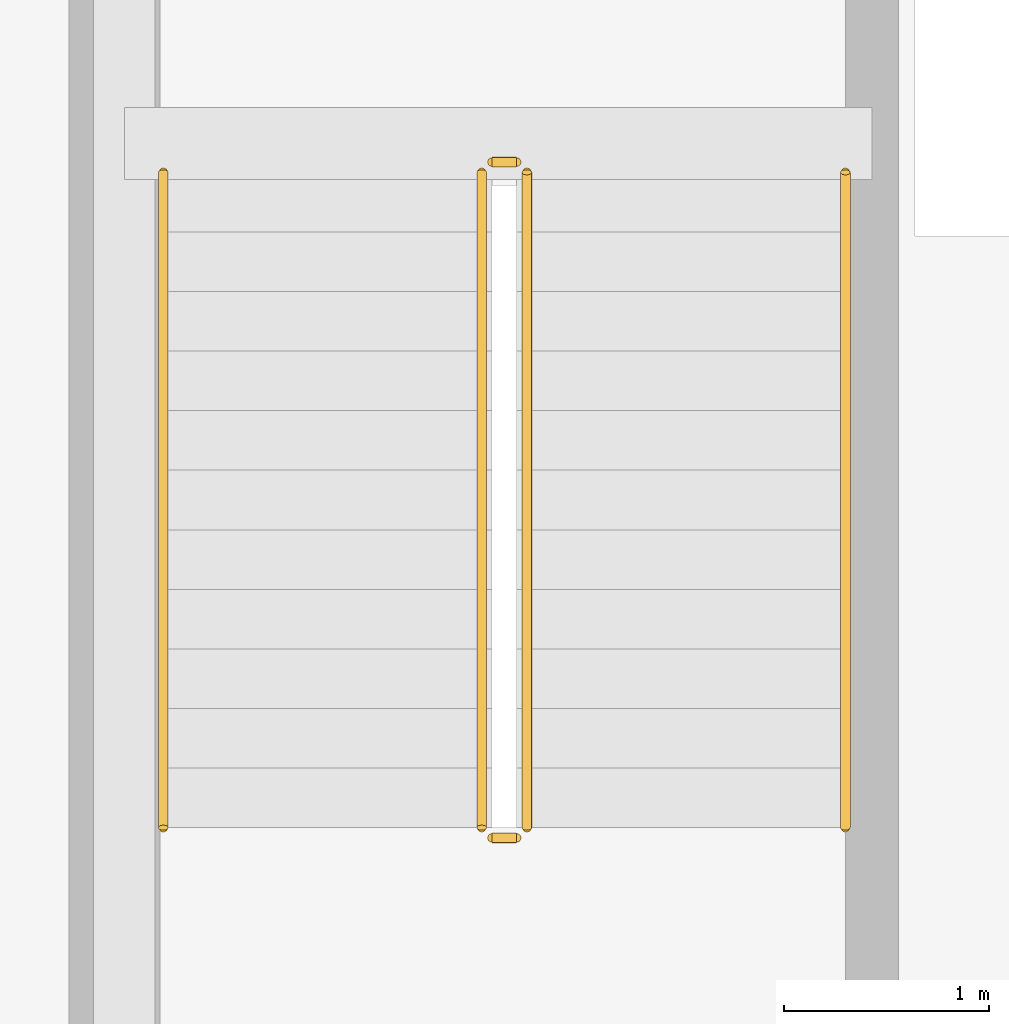
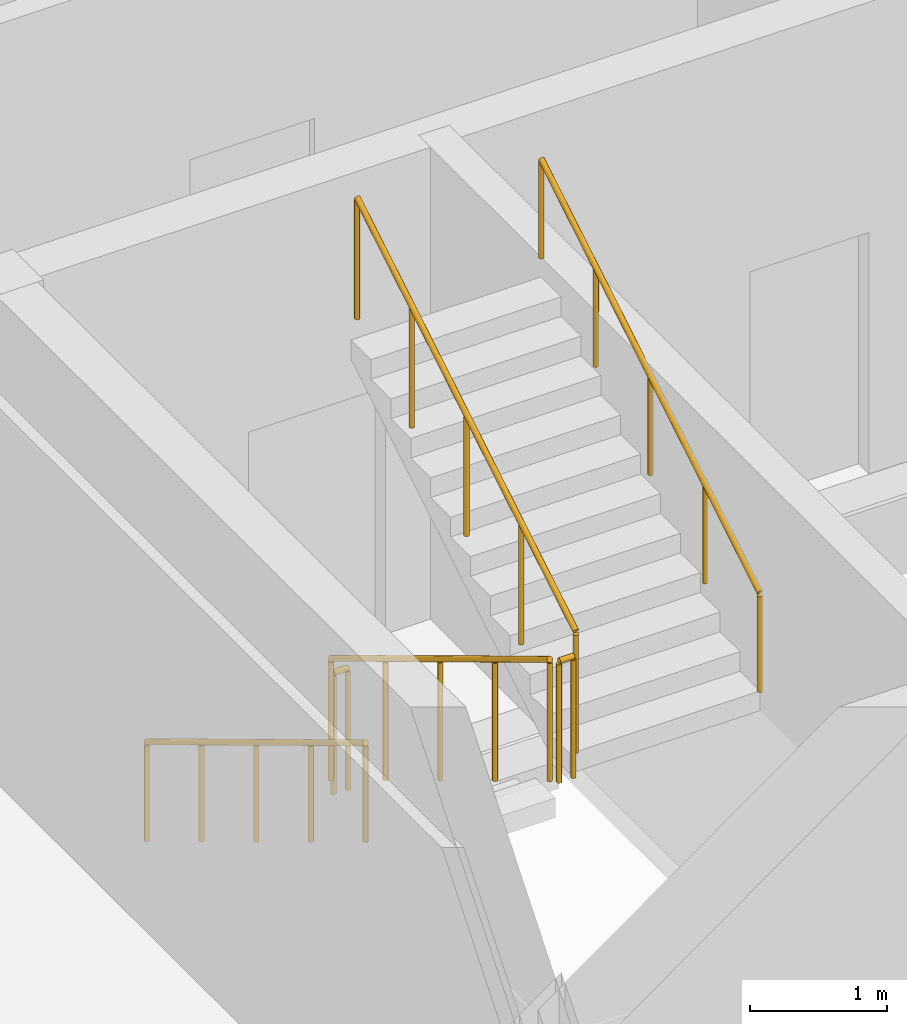
# One storey, part 46 of 53: 6 railings.
"""IFC4 building model written with IfcOpenShell, lengths in metres."""

from ifc_helpers import new_model, si_unit, direction, frame, origin, origin_2d, place, context, subcontext, project, spatial, circle, extrude, material, type_object, element, save


model = new_model("IFC4")

# Units and contexts
model_context = context("Model", 3, precision=1e-05, world=origin(), true_north=direction((0.0, 1.0)))
body_context = subcontext(model_context, "Body", "Model", "MODEL_VIEW")
ifc_project = project(units=[si_unit("LENGTHUNIT", "METRE"), si_unit("AREAUNIT", "SQUARE_METRE"), si_unit("VOLUMEUNIT", "CUBIC_METRE"), si_unit("PLANEANGLEUNIT", "RADIAN"), si_unit("MASSUNIT", "GRAM", prefix="KILO")], contexts=[model_context])

# Site, building, storey
site_placement = place(None, origin())
site = spatial("IfcSite", under=ifc_project, at=site_placement, CompositionType="ELEMENT")
building_placement = place(site_placement, origin())
building = spatial("IfcBuilding", under=site, at=building_placement, Name="Vharandega Faculty of Natural Sciences", CompositionType="ELEMENT")
storey_placement = place(building_placement, frame((0.0, 0.0, 10.199951171875)))
storey = spatial("IfcBuildingStorey", under=building, at=storey_placement, Name="L02", CompositionType="ELEMENT", Elevation=10.199951171875)

# Railings
ifc_material_1 = material(Name="Brushed stainless steel handrail", Category="steel")
railing_type_1 = type_object("IfcRailingType", Name="Stair Tubular Handrail 900", PredefinedType="HANDRAIL", material=ifc_material_1)
railing_1_placement = place(storey_placement, frame((32.18994140625, 46.2099609375, 0.175048828125)))
element("IfcRailing", 1, at=railing_1_placement, inside=storey, type_object=railing_type_1, Name="L02 ST3 stair handrail 1", PredefinedType="HANDRAIL", context=body_context, shape_type="SweptSolid", body=[
    extrude(circle(Radius=0.02392578125, at=origin_2d()), frame((0.0, 0.0, 0.8759765625), z_axis=(0.0, -0.856177665481, 0.516681531633), x_axis=(1.0, 0.0, 0.0)), (0.0, 0.0, 1.0), 3.725830078125),
    extrude(circle(Radius=0.02099609375, at=origin_2d()), origin(), (0.0, 0.0, 1.0), 0.851806640625),
    extrude(circle(Radius=0.02099609375, at=origin_2d()), frame((0.0, -0.79736328125, 0.481201171875)), (0.0, 0.0, 1.0), 0.851806640625),
    extrude(circle(Radius=0.02099609375, at=origin_2d()), frame((0.0, -1.594970703125, 0.96240234375)), (0.0, 0.0, 1.0), 0.851806640625),
    extrude(circle(Radius=0.02099609375, at=origin_2d()), frame((0.0, -2.392578125, 1.44384765625)), (0.0, 0.0, 1.0), 0.851806640625),
    extrude(circle(Radius=0.02099609375, at=origin_2d()), frame((0.0, -3.18994140625, 1.925048828125)), (0.0, 0.0, 1.0), 0.851806640625),
])
railing_2_placement = place(storey_placement, frame((35.510009765625, 43.02001953125, 2.275146484375)))
element("IfcRailing", 2, at=railing_2_placement, inside=storey, type_object=railing_type_1, Name="L02 ST3 stair handrail 2", PredefinedType="HANDRAIL", context=body_context, shape_type="SweptSolid", body=[
    extrude(circle(Radius=0.02392578125, at=origin_2d()), frame((0.0, 0.0, 0.8759765625), z_axis=(0.0, 0.856206652436, 0.516633495163), x_axis=(-1.0, 0.0, 0.0)), (0.0, 0.0, 1.0), 3.7255859375),
    extrude(circle(Radius=0.02099609375, at=origin_2d()), origin(), (0.0, 0.0, 1.0), 0.851806640625),
    extrude(circle(Radius=0.02099609375, at=origin_2d()), frame((0.0, 0.79736328125, 0.481201171875)), (0.0, 0.0, 1.0), 0.851806640625),
    extrude(circle(Radius=0.02099609375, at=origin_2d()), frame((0.0, 1.594970703125, 0.96240234375)), (0.0, 0.0, 1.0), 0.851806640625),
    extrude(circle(Radius=0.02099609375, at=origin_2d()), frame((0.0, 2.392578125, 1.443603515625)), (0.0, 0.0, 1.0), 0.851806640625),
    extrude(circle(Radius=0.02099609375, at=origin_2d()), frame((0.0, 3.18994140625, 1.9248046875)), (0.0, 0.0, 1.0), 0.851806640625),
])
ifc_material_2 = material(Name="Painted steel stair guardrail", Category="steel")
railing_type_2 = type_object("IfcRailingType", Name="Stairwell Steel Guardrail 1100", PredefinedType="GUARDRAIL", material=ifc_material_2)
railing_3_placement = place(storey_placement, frame((33.739990234375, 46.2099609375, 0.175048828125)))
element("IfcRailing", 3, at=railing_3_placement, inside=storey, type_object=railing_type_2, Name="L02 ST3 stair guard 1", PredefinedType="GUARDRAIL", context=body_context, shape_type="SweptSolid", body=[
    extrude(circle(Radius=0.02392578125, at=origin_2d()), frame((0.0, 0.0, 1.076171875), z_axis=(0.0, -0.856177665481, 0.516681531633), x_axis=(1.0, 0.0, 0.0)), (0.0, 0.0, 1.0), 3.725830078125),
    extrude(circle(Radius=0.02099609375, at=origin_2d()), origin(), (0.0, 0.0, 1.0), 1.052001953125),
    extrude(circle(Radius=0.02099609375, at=origin_2d()), frame((0.0, -0.79736328125, 0.481201171875)), (0.0, 0.0, 1.0), 1.052001953125),
    extrude(circle(Radius=0.02099609375, at=origin_2d()), frame((0.0, -1.594970703125, 0.96240234375)), (0.0, 0.0, 1.0), 1.052001953125),
    extrude(circle(Radius=0.02099609375, at=origin_2d()), frame((0.0, -2.392578125, 1.44384765625)), (0.0, 0.0, 1.0), 1.052001953125),
    extrude(circle(Radius=0.02099609375, at=origin_2d()), frame((0.0, -3.18994140625, 1.925048828125)), (0.0, 0.0, 1.0), 1.052001953125),
])
railing_4_placement = place(storey_placement, frame((33.7900390625, 42.969970703125, 2.10009765625)))
element("IfcRailing", 4, at=railing_4_placement, inside=storey, type_object=railing_type_2, Name="L02 ST3 stair guard 2", PredefinedType="GUARDRAIL", context=body_context, shape_type="SweptSolid", body=[
    extrude(circle(Radius=0.02392578125, at=origin_2d()), frame((0.0, 0.0, 1.076171875), z_axis=(1.0, 0.0, 0.0), x_axis=(0.0, 1.0, 0.0)), (0.0, 0.0, 1.0), 0.119873046875),
    extrude(circle(Radius=0.02099609375, at=origin_2d()), origin(), (0.0, 0.0, 1.0), 1.052001953125),
    extrude(circle(Radius=0.02099609375, at=origin_2d()), frame((0.119873046875, 0.0, 0.0)), (0.0, 0.0, 1.0), 1.052001953125),
])
railing_5_placement = place(storey_placement, frame((33.9599609375, 43.02001953125, 2.275146484375)))
element("IfcRailing", 5, at=railing_5_placement, inside=storey, type_object=railing_type_2, Name="L02 ST3 stair guard 3", PredefinedType="GUARDRAIL", context=body_context, shape_type="SweptSolid", body=[
    extrude(circle(Radius=0.02392578125, at=origin_2d()), frame((0.0, 0.0, 1.076171875), z_axis=(0.0, 0.856206652436, 0.516633495163), x_axis=(-1.0, 0.0, 0.0)), (0.0, 0.0, 1.0), 3.7255859375),
    extrude(circle(Radius=0.02099609375, at=origin_2d()), origin(), (0.0, 0.0, 1.0), 1.052001953125),
    extrude(circle(Radius=0.02099609375, at=origin_2d()), frame((0.0, 0.79736328125, 0.481201171875)), (0.0, 0.0, 1.0), 1.052001953125),
    extrude(circle(Radius=0.02099609375, at=origin_2d()), frame((0.0, 1.594970703125, 0.96240234375)), (0.0, 0.0, 1.0), 1.052001953125),
    extrude(circle(Radius=0.02099609375, at=origin_2d()), frame((0.0, 2.392578125, 1.443603515625)), (0.0, 0.0, 1.0), 1.052001953125),
    extrude(circle(Radius=0.02099609375, at=origin_2d()), frame((0.0, 3.18994140625, 1.9248046875)), (0.0, 0.0, 1.0), 1.052001953125),
])
railing_6_placement = place(storey_placement, frame((33.7900390625, 46.260009765625, 0.0)))
element("IfcRailing", 6, at=railing_6_placement, inside=storey, type_object=railing_type_2, Name="L02 ST3 stair guard 4", PredefinedType="GUARDRAIL", context=body_context, shape_type="SweptSolid", body=[
    extrude(circle(Radius=0.02392578125, at=origin_2d()), frame((0.0, 0.0, 1.076171875), z_axis=(1.0, 0.0, 0.0), x_axis=(0.0, 1.0, 0.0)), (0.0, 0.0, 1.0), 0.119873046875),
    extrude(circle(Radius=0.02099609375, at=origin_2d()), origin(), (0.0, 0.0, 1.0), 1.052001953125),
    extrude(circle(Radius=0.02099609375, at=origin_2d()), frame((0.119873046875, 0.0, 0.0)), (0.0, 0.0, 1.0), 1.052001953125),
])

save(model, "model.ifc")
